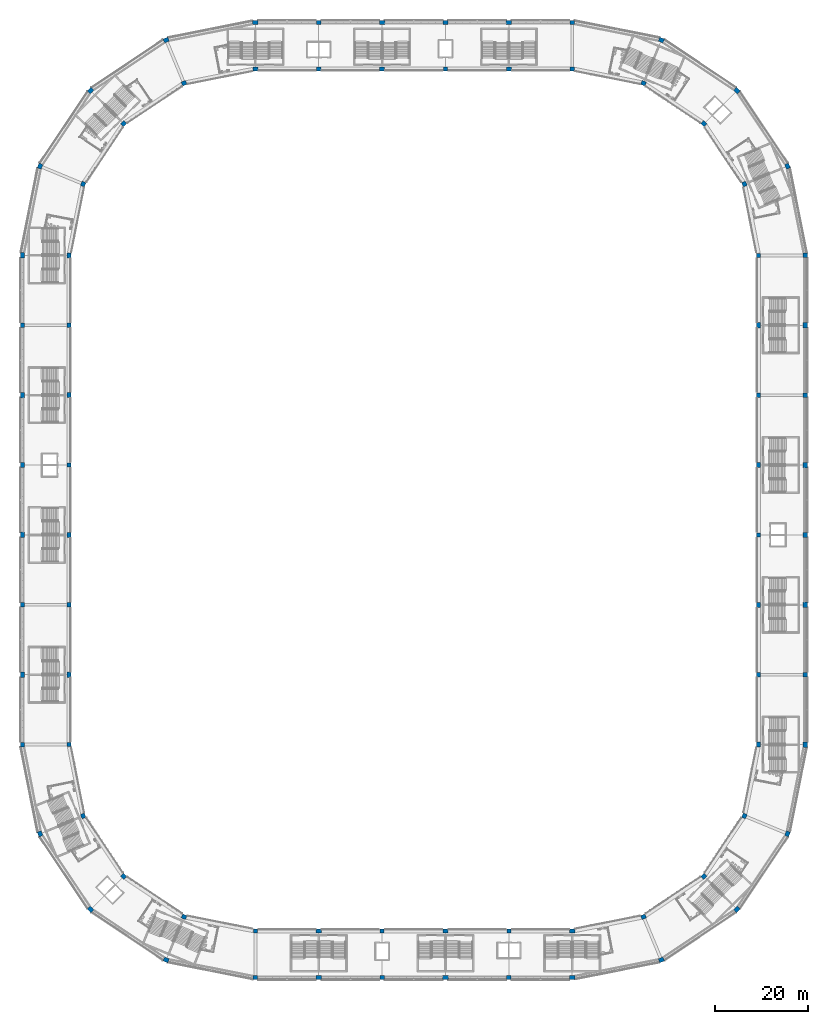
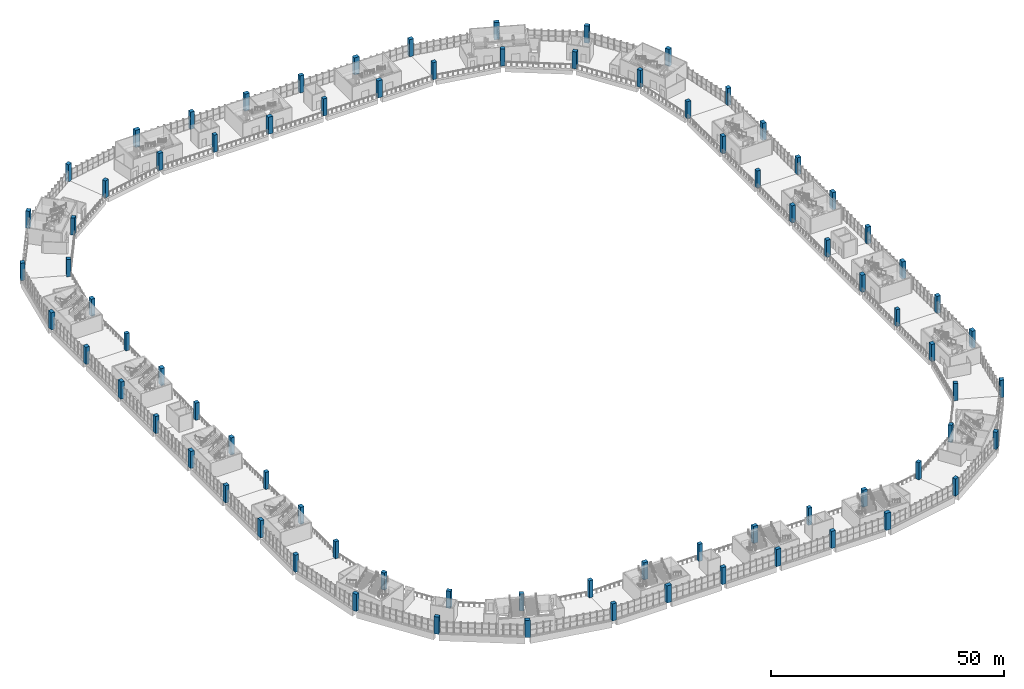
# One storey, part 1 of 177: 80 columns.
"""IFC4 building model written with IfcOpenShell, lengths in metres."""

from ifc_helpers import new_model, si_unit, direction, frame, origin, origin_2d, place, context, subcontext, project, spatial, rectangle, extrude, material, material_profile, profile_set, type_object, element, save


model = new_model("IFC4")

# Units and contexts
model_context = context("Model", 3, precision=1e-05, world=origin(), true_north=direction((0.0, 1.0)))
body_context = subcontext(model_context, "Body", "Model", "MODEL_VIEW")
ifc_project = project(units=[si_unit("LENGTHUNIT", "METRE"), si_unit("AREAUNIT", "SQUARE_METRE"), si_unit("VOLUMEUNIT", "CUBIC_METRE"), si_unit("PLANEANGLEUNIT", "RADIAN"), si_unit("MASSUNIT", "GRAM", prefix="KILO")], contexts=[model_context])

# Site, building, storey
site_placement = place(None, origin())
site = spatial("IfcSite", under=ifc_project, at=site_placement, CompositionType="ELEMENT")
building_placement = place(site_placement, origin())
building = spatial("IfcBuilding", under=site, at=building_placement, Name="Ogive Plaza Stadium", CompositionType="ELEMENT")
storey_placement = place(building_placement, frame((0.0, 0.0, 18.0)))
storey = spatial("IfcBuildingStorey", under=building, at=storey_placement, Name="L04", CompositionType="ELEMENT", Elevation=18.0)

# Columns
ifc_material_1 = material(Name="Concrete C40/50", Category="concrete")
ifc_material_profile_1 = material_profile(ifc_material_1, rectangle(XDim=1.10009765625, YDim=0.89990234375, at=origin_2d()), Name="RC 1100x900")
ifc_profile_set_1 = profile_set([ifc_material_profile_1], Name="Concrete C40/50")
column_type_1 = type_object("IfcColumnType", Name="RC column F4 core 1100x900", PredefinedType="COLUMN", material=ifc_profile_set_1)
for number, where, z_axis, x_axis, name in (
    (1, (74.0, 37.5, 0.0), (0.0, 0.0, 1.0), (0.0, 1.0, 0.0), "Column F4 R02 L04"),
    (2, (74.0, 7.5, 0.0), (0.0, 0.0, 1.0), (0.0, 1.0, 0.0), "Column F4 R04 L04"),
    (3, (74.0, -22.5, 0.0), (0.0, 0.0, 1.0), (0.0, 1.0, 0.0), "Column F4 R06 L04"),
    (4, (74.0, -52.5, 0.0), (0.0, 0.0, 1.0), (0.0, 1.0, 0.0), "Column F4 R08 L04"),
    (5, (34.0, -92.5, 0.0), (0.0, 0.0, 1.0), (1.0, 0.0, 0.0), "Column F4 R12 L04"),
    (6, (6.800048828125, -92.5, 0.0), (0.0, 0.0, 1.0), (1.0, 0.0, 0.0), "Column F4 R14 L04"),
    (7, (-20.39990234375, -92.5, 0.0), (0.0, 0.0, 1.0), (1.0, 0.0, 0.0), "Column F4 R16 L04"),
    (8, (-74.0, -37.5, 0.0), (0.0, 0.0, 1.0), (0.0, -1.0, 0.0), "Column F4 R22 L04"),
    (9, (-74.0, -7.5, 0.0), (0.0, 0.0, 1.0), (0.0, -1.0, 0.0), "Column F4 R24 L04"),
    (10, (-74.0, 22.5, 0.0), (0.0, 0.0, 1.0), (0.0, -1.0, 0.0), "Column F4 R26 L04"),
    (11, (-74.0, 52.5, 0.0), (0.0, 0.0, 1.0), (0.0, -1.0, 0.0), "Column F4 R28 L04"),
    (12, (-34.0, 92.5, 0.0), (0.0, 0.0, 1.0), (-1.0, 0.0, 0.0), "Column F4 R32 L04"),
    (13, (-6.800048828125, 92.5, 0.0), (0.0, 0.0, 1.0), (-1.0, 0.0, 0.0), "Column F4 R34 L04"),
    (14, (20.39990234375, 92.5, 0.0), (0.0, 0.0, 1.0), (-1.0, 0.0, 0.0), "Column F4 R36 L04"),
):
    element("IfcColumn", number, at=place(storey_placement, frame(where, z_axis=z_axis, x_axis=x_axis)), inside=storey, type_object=column_type_1, Name=name, PredefinedType="COLUMN", context=body_context, shape_type="SweptSolid", body=[
        extrude(rectangle(XDim=1.10009765625, YDim=0.89990234375, at=origin_2d()), origin(), (0.0, 0.0, 1.0), 4.5),
    ])
ifc_material_2 = material(Name="Concrete C40/50", Category="concrete")
ifc_material_profile_2 = material_profile(ifc_material_2, rectangle(XDim=1.0, YDim=0.89990234375, at=origin_2d()), Name="RC 1000x900")
ifc_profile_set_2 = profile_set([ifc_material_profile_2], Name="Concrete C40/50")
column_type_2 = type_object("IfcColumnType", Name="RC column F4 corner 1000x900", PredefinedType="COLUMN", material=ifc_profile_set_2)
for number, where, z_axis, x_axis, name in (
    (15, (70.955078125, -67.807373046875, 0.0), (0.0, 0.0, 1.0), (0.382683432365, 0.923879532511, 0.0), "Column F4 R09 L04"),
    (16, (62.2841796875, -80.7841796875, 0.0), (0.0, 0.0, 1.0), (0.707106781187, 0.707106781187, 0.0), "Column F4 R10 L04"),
    (17, (49.307373046875, -89.455078125, 0.0), (0.0, 0.0, 1.0), (0.923879532511, 0.382683432365, 0.0), "Column F4 R11 L04"),
    (18, (-49.307373046875, -89.455078125, 0.0), (0.0, 0.0, 1.0), (0.923879532511, -0.382683432365, 0.0), "Column F4 R18 L04"),
    (19, (-62.2841796875, -80.7841796875, 0.0), (0.0, 0.0, 1.0), (0.707106781187, -0.707106781187, 0.0), "Column F4 R19 L04"),
    (20, (-70.955078125, -67.807373046875, 0.0), (0.0, 0.0, 1.0), (0.382683432365, -0.923879532511, 0.0), "Column F4 R20 L04"),
    (21, (-70.955078125, 67.807373046875, 0.0), (0.0, 0.0, 1.0), (-0.382683432365, -0.923879532511, 0.0), "Column F4 R29 L04"),
    (22, (-62.2841796875, 80.7841796875, 0.0), (0.0, 0.0, 1.0), (-0.707106781187, -0.707106781187, 0.0), "Column F4 R30 L04"),
    (23, (-49.307373046875, 89.455078125, 0.0), (0.0, 0.0, 1.0), (-0.923879532511, -0.382683432365, 0.0), "Column F4 R31 L04"),
    (24, (49.307373046875, 89.455078125, 0.0), (0.0, 0.0, 1.0), (-0.923879532511, 0.382683432365, 0.0), "Column F4 R38 L04"),
    (25, (62.2841796875, 80.7841796875, 0.0), (0.0, 0.0, 1.0), (-0.707106781187, 0.707106781187, 0.0), "Column F4 R39 L04"),
    (26, (70.955078125, 67.807373046875, 0.0), (0.0, 0.0, 1.0), (-0.382683432365, 0.923879532511, 0.0), "Column F4 R40 L04"),
):
    element("IfcColumn", number, at=place(storey_placement, frame(where, z_axis=z_axis, x_axis=x_axis)), inside=storey, type_object=column_type_2, Name=name, PredefinedType="COLUMN", context=body_context, shape_type="SweptSolid", body=[
        extrude(rectangle(XDim=1.0, YDim=0.89990234375, at=origin_2d()), origin(), (0.0, 0.0, 1.0), 4.5),
    ])
ifc_material_3 = material(Name="Concrete C40/50", Category="concrete")
ifc_material_profile_3 = material_profile(ifc_material_3, rectangle(XDim=0.89990234375, YDim=0.89990234375, at=origin_2d()), Name="RC 900x900")
ifc_profile_set_3 = profile_set([ifc_material_profile_3], Name="Concrete C40/50")
column_type_3 = type_object("IfcColumnType", Name="RC column F4 typical 900x900", PredefinedType="COLUMN", material=ifc_profile_set_3)
for number, where, z_axis, x_axis, name in (
    (27, (74.0, 52.5, 0.0), (0.0, 0.0, 1.0), (0.0, 1.0, 0.0), "Column F4 R01 L04"),
    (28, (74.0, 22.5, 0.0), (0.0, 0.0, 1.0), (0.0, 1.0, 0.0), "Column F4 R03 L04"),
    (29, (74.0, -7.5, 0.0), (0.0, 0.0, 1.0), (0.0, 1.0, 0.0), "Column F4 R05 L04"),
    (30, (74.0, -37.5, 0.0), (0.0, 0.0, 1.0), (0.0, 1.0, 0.0), "Column F4 R07 L04"),
    (31, (20.39990234375, -92.5, 0.0), (0.0, 0.0, 1.0), (1.0, 0.0, 0.0), "Column F4 R13 L04"),
    (32, (-6.800048828125, -92.5, 0.0), (0.0, 0.0, 1.0), (1.0, 0.0, 0.0), "Column F4 R15 L04"),
    (33, (-34.0, -92.5, 0.0), (0.0, 0.0, 1.0), (1.0, 0.0, 0.0), "Column F4 R17 L04"),
    (34, (-74.0, -52.5, 0.0), (0.0, 0.0, 1.0), (0.0, -1.0, 0.0), "Column F4 R21 L04"),
    (35, (-74.0, -22.5, 0.0), (0.0, 0.0, 1.0), (0.0, -1.0, 0.0), "Column F4 R23 L04"),
    (36, (-74.0, 7.5, 0.0), (0.0, 0.0, 1.0), (0.0, -1.0, 0.0), "Column F4 R25 L04"),
    (37, (-74.0, 37.5, 0.0), (0.0, 0.0, 1.0), (0.0, -1.0, 0.0), "Column F4 R27 L04"),
    (38, (-20.39990234375, 92.5, 0.0), (0.0, 0.0, 1.0), (-1.0, 0.0, 0.0), "Column F4 R33 L04"),
    (39, (6.800048828125, 92.5, 0.0), (0.0, 0.0, 1.0), (-1.0, 0.0, 0.0), "Column F4 R35 L04"),
    (40, (34.0, 92.5, 0.0), (0.0, 0.0, 1.0), (-1.0, 0.0, 0.0), "Column F4 R37 L04"),
):
    element("IfcColumn", number, at=place(storey_placement, frame(where, z_axis=z_axis, x_axis=x_axis)), inside=storey, type_object=column_type_3, Name=name, PredefinedType="COLUMN", context=body_context, shape_type="SweptSolid", body=[
        extrude(rectangle(XDim=0.89990234375, YDim=0.89990234375, at=origin_2d()), origin(), (0.0, 0.0, 1.0), 4.5),
    ])
ifc_material_4 = material(Name="Concrete C40/50", Category="concrete")
ifc_material_profile_4 = material_profile(ifc_material_4, rectangle(XDim=1.199951171875, YDim=0.89990234375, at=origin_2d()), Name="RC 1200x900")
ifc_profile_set_4 = profile_set([ifc_material_profile_4], Name="Concrete C40/50")
column_type_4 = type_object("IfcColumnType", Name="RC column F5 core 1200x900", PredefinedType="COLUMN", material=ifc_profile_set_4)
for number, where, z_axis, x_axis, name in (
    (41, (84.0, 37.5, 0.0), (0.0, 0.0, 1.0), (0.0, 1.0, 0.0), "Column F5 R02 L04"),
    (42, (84.0, 7.5, 0.0), (0.0, 0.0, 1.0), (0.0, 1.0, 0.0), "Column F5 R04 L04"),
    (43, (84.0, -22.5, 0.0), (0.0, 0.0, 1.0), (0.0, 1.0, 0.0), "Column F5 R06 L04"),
    (44, (84.0, -52.5, 0.0), (0.0, 0.0, 1.0), (0.0, 1.0, 0.0), "Column F5 R08 L04"),
    (45, (34.0, -102.5, 0.0), (0.0, 0.0, 1.0), (1.0, 0.0, 0.0), "Column F5 R12 L04"),
    (46, (6.800048828125, -102.5, 0.0), (0.0, 0.0, 1.0), (1.0, 0.0, 0.0), "Column F5 R14 L04"),
    (47, (-20.39990234375, -102.5, 0.0), (0.0, 0.0, 1.0), (1.0, 0.0, 0.0), "Column F5 R16 L04"),
    (48, (-84.0, -37.5, 0.0), (0.0, 0.0, 1.0), (0.0, -1.0, 0.0), "Column F5 R22 L04"),
    (49, (-84.0, -7.5, 0.0), (0.0, 0.0, 1.0), (0.0, -1.0, 0.0), "Column F5 R24 L04"),
    (50, (-84.0, 22.5, 0.0), (0.0, 0.0, 1.0), (0.0, -1.0, 0.0), "Column F5 R26 L04"),
    (51, (-84.0, 52.5, 0.0), (0.0, 0.0, 1.0), (0.0, -1.0, 0.0), "Column F5 R28 L04"),
    (52, (-34.0, 102.5, 0.0), (0.0, 0.0, 1.0), (-1.0, 0.0, 0.0), "Column F5 R32 L04"),
    (53, (-6.800048828125, 102.5, 0.0), (0.0, 0.0, 1.0), (-1.0, 0.0, 0.0), "Column F5 R34 L04"),
    (54, (20.39990234375, 102.5, 0.0), (0.0, 0.0, 1.0), (-1.0, 0.0, 0.0), "Column F5 R36 L04"),
):
    element("IfcColumn", number, at=place(storey_placement, frame(where, z_axis=z_axis, x_axis=x_axis)), inside=storey, type_object=column_type_4, Name=name, PredefinedType="COLUMN", context=body_context, shape_type="SweptSolid", body=[
        extrude(rectangle(XDim=1.199951171875, YDim=0.89990234375, at=origin_2d()), origin(), (0.0, 0.0, 1.0), 4.5),
    ])
ifc_material_5 = material(Name="Concrete C40/50", Category="concrete")
ifc_material_profile_5 = material_profile(ifc_material_5, rectangle(XDim=1.10009765625, YDim=0.89990234375, at=origin_2d()), Name="RC 1100x900")
ifc_profile_set_5 = profile_set([ifc_material_profile_5], Name="Concrete C40/50")
column_type_5 = type_object("IfcColumnType", Name="RC column F5 corner 1100x900", PredefinedType="COLUMN", material=ifc_profile_set_5)
for number, where, z_axis, x_axis, name in (
    (55, (80.194091796875, -71.63427734375, 0.0), (0.0, 0.0, 1.0), (0.382683432365, 0.923879532511, 0.0), "Column F5 R09 L04"),
    (56, (69.355224609375, -87.855224609375, 0.0), (0.0, 0.0, 1.0), (0.707106781187, 0.707106781187, 0.0), "Column F5 R10 L04"),
    (57, (53.13427734375, -98.694091796875, 0.0), (0.0, 0.0, 1.0), (0.923879532511, 0.382683432365, 0.0), "Column F5 R11 L04"),
    (58, (-53.13427734375, -98.694091796875, 0.0), (0.0, 0.0, 1.0), (0.923879532511, -0.382683432365, 0.0), "Column F5 R18 L04"),
    (59, (-69.355224609375, -87.855224609375, 0.0), (0.0, 0.0, 1.0), (0.707106781187, -0.707106781187, 0.0), "Column F5 R19 L04"),
    (60, (-80.194091796875, -71.63427734375, 0.0), (0.0, 0.0, 1.0), (0.382683432365, -0.923879532511, 0.0), "Column F5 R20 L04"),
    (61, (-80.194091796875, 71.63427734375, 0.0), (0.0, 0.0, 1.0), (-0.382683432365, -0.923879532511, 0.0), "Column F5 R29 L04"),
    (62, (-69.355224609375, 87.855224609375, 0.0), (0.0, 0.0, 1.0), (-0.707106781187, -0.707106781187, 0.0), "Column F5 R30 L04"),
    (63, (-53.13427734375, 98.694091796875, 0.0), (0.0, 0.0, 1.0), (-0.923879532511, -0.382683432365, 0.0), "Column F5 R31 L04"),
    (64, (53.13427734375, 98.694091796875, 0.0), (0.0, 0.0, 1.0), (-0.923879532511, 0.382683432365, 0.0), "Column F5 R38 L04"),
    (65, (69.355224609375, 87.855224609375, 0.0), (0.0, 0.0, 1.0), (-0.707106781187, 0.707106781187, 0.0), "Column F5 R39 L04"),
    (66, (80.194091796875, 71.63427734375, 0.0), (0.0, 0.0, 1.0), (-0.382683432365, 0.923879532511, 0.0), "Column F5 R40 L04"),
):
    element("IfcColumn", number, at=place(storey_placement, frame(where, z_axis=z_axis, x_axis=x_axis)), inside=storey, type_object=column_type_5, Name=name, PredefinedType="COLUMN", context=body_context, shape_type="SweptSolid", body=[
        extrude(rectangle(XDim=1.10009765625, YDim=0.89990234375, at=origin_2d()), origin(), (0.0, 0.0, 1.0), 4.5),
    ])
ifc_material_6 = material(Name="Concrete C40/50", Category="concrete")
ifc_material_profile_6 = material_profile(ifc_material_6, rectangle(XDim=1.0, YDim=0.89990234375, at=origin_2d()), Name="RC 1000x900")
ifc_profile_set_6 = profile_set([ifc_material_profile_6], Name="Concrete C40/50")
column_type_6 = type_object("IfcColumnType", Name="RC column F5 typical 1000x900", PredefinedType="COLUMN", material=ifc_profile_set_6)
for number, where, z_axis, x_axis, name in (
    (67, (84.0, 52.5, 0.0), (0.0, 0.0, 1.0), (0.0, 1.0, 0.0), "Column F5 R01 L04"),
    (68, (84.0, 22.5, 0.0), (0.0, 0.0, 1.0), (0.0, 1.0, 0.0), "Column F5 R03 L04"),
    (69, (84.0, -7.5, 0.0), (0.0, 0.0, 1.0), (0.0, 1.0, 0.0), "Column F5 R05 L04"),
    (70, (84.0, -37.5, 0.0), (0.0, 0.0, 1.0), (0.0, 1.0, 0.0), "Column F5 R07 L04"),
    (71, (20.39990234375, -102.5, 0.0), (0.0, 0.0, 1.0), (1.0, 0.0, 0.0), "Column F5 R13 L04"),
    (72, (-6.800048828125, -102.5, 0.0), (0.0, 0.0, 1.0), (1.0, 0.0, 0.0), "Column F5 R15 L04"),
    (73, (-34.0, -102.5, 0.0), (0.0, 0.0, 1.0), (1.0, 0.0, 0.0), "Column F5 R17 L04"),
    (74, (-84.0, -52.5, 0.0), (0.0, 0.0, 1.0), (0.0, -1.0, 0.0), "Column F5 R21 L04"),
    (75, (-84.0, -22.5, 0.0), (0.0, 0.0, 1.0), (0.0, -1.0, 0.0), "Column F5 R23 L04"),
    (76, (-84.0, 7.5, 0.0), (0.0, 0.0, 1.0), (0.0, -1.0, 0.0), "Column F5 R25 L04"),
    (77, (-84.0, 37.5, 0.0), (0.0, 0.0, 1.0), (0.0, -1.0, 0.0), "Column F5 R27 L04"),
    (78, (-20.39990234375, 102.5, 0.0), (0.0, 0.0, 1.0), (-1.0, 0.0, 0.0), "Column F5 R33 L04"),
    (79, (6.800048828125, 102.5, 0.0), (0.0, 0.0, 1.0), (-1.0, 0.0, 0.0), "Column F5 R35 L04"),
    (80, (34.0, 102.5, 0.0), (0.0, 0.0, 1.0), (-1.0, 0.0, 0.0), "Column F5 R37 L04"),
):
    element("IfcColumn", number, at=place(storey_placement, frame(where, z_axis=z_axis, x_axis=x_axis)), inside=storey, type_object=column_type_6, Name=name, PredefinedType="COLUMN", context=body_context, shape_type="SweptSolid", body=[
        extrude(rectangle(XDim=1.0, YDim=0.89990234375, at=origin_2d()), origin(), (0.0, 0.0, 1.0), 4.5),
    ])

save(model, "model.ifc")
